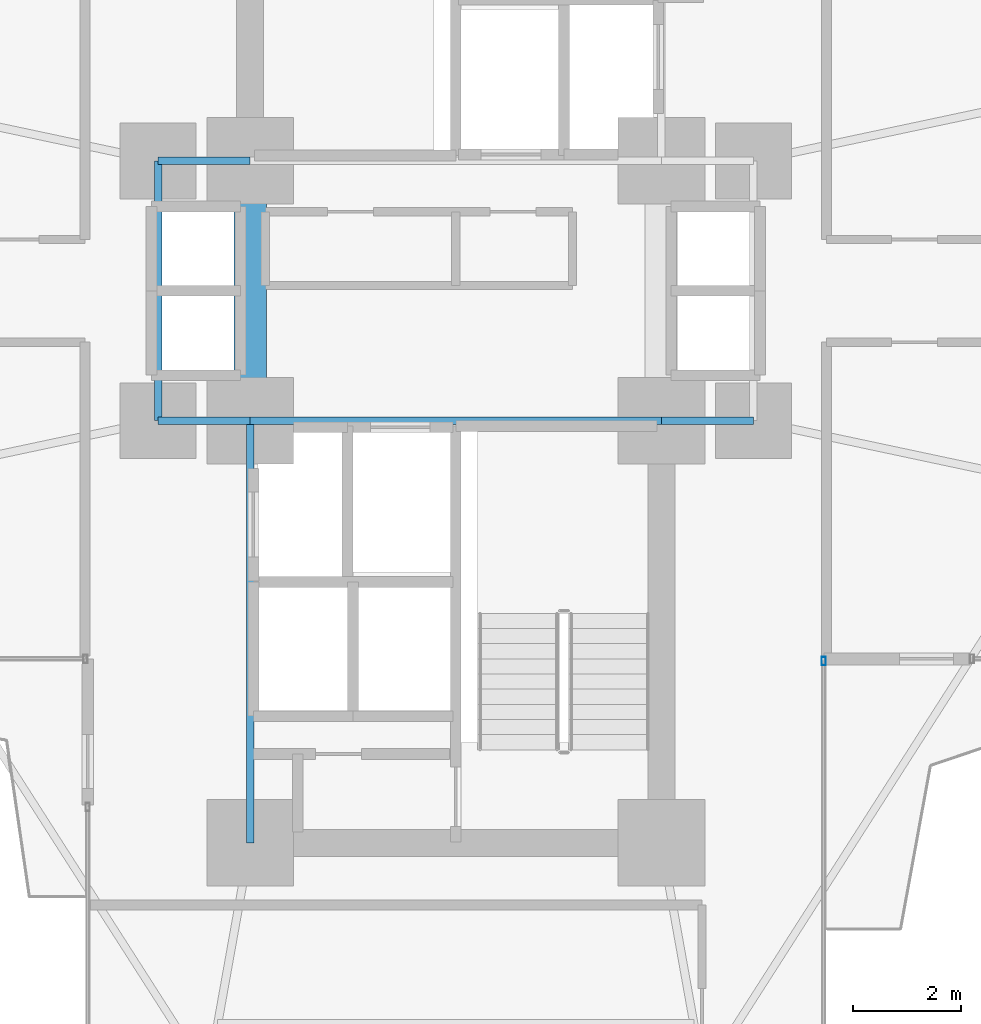
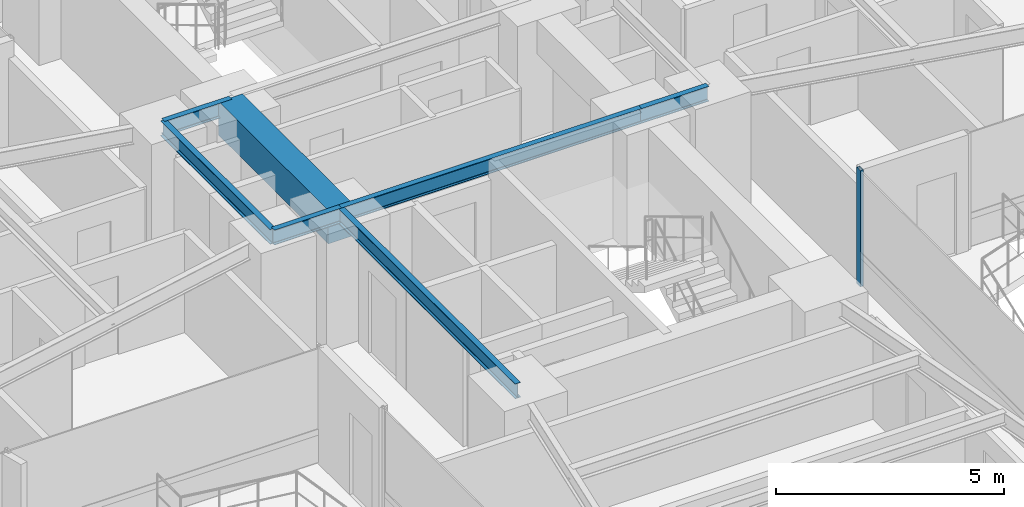
# One storey, part 11 of 25: 7 beams, 1 member, 1 element without a shape of its own.
"""IFC4 building model written with IfcOpenShell, lengths in metres."""

from ifc_helpers import new_model, si_unit, direction, frame, origin, origin_2d, place, context, subcontext, project, spatial, rectangle, hollow_rectangle, i_section, extrude, source, transform, mapped, material, material_profile, profile_set, type_object, element, aggregate, save


model = new_model("IFC4")

# Units and contexts
model_context = context("Model", 3, precision=1e-05, world=origin(), true_north=direction((0.0, 1.0)))
body_context = subcontext(model_context, "Body", "Model", "MODEL_VIEW")
ifc_project = project(units=[si_unit("LENGTHUNIT", "METRE"), si_unit("AREAUNIT", "SQUARE_METRE"), si_unit("VOLUMEUNIT", "CUBIC_METRE"), si_unit("PLANEANGLEUNIT", "RADIAN"), si_unit("MASSUNIT", "GRAM", prefix="KILO")], contexts=[model_context])

# Site, building, storey
site_placement = place(None, origin())
site = spatial("IfcSite", under=ifc_project, at=site_placement, CompositionType="ELEMENT")
building_placement = place(site_placement, origin())
building = spatial("IfcBuilding", under=site, at=building_placement, Name="Sahyath Konkavel Grand Hotel", CompositionType="ELEMENT")
storey_placement = place(building_placement, frame((0.0, 0.0, 54.39990234375)))
storey = spatial("IfcBuildingStorey", under=building, at=storey_placement, Name="L14", CompositionType="ELEMENT", Elevation=54.39990234375)

# Beams
ifc_material_1 = material(Name="Concrete C70/85", Category="concrete")
ifc_material_profile_1 = material_profile(ifc_material_1, rectangle(XDim=0.60009765625, YDim=0.89990234375, at=origin_2d()), Name="RC 600x900")
ifc_profile_set_1 = profile_set([ifc_material_profile_1], Name="Concrete C70/85")
beam_type_1 = type_object("IfcBeamType", Name="BM-CB600x900", PredefinedType="LINTEL", material=ifc_profile_set_1)
shared_shape_1 = source(origin(), body_context, "Body", "SweptSolid", [
    extrude(rectangle(XDim=0.60009765625, YDim=0.89990234375, at=origin_2d()), origin(), (0.0, 0.0, 1.0), 4.7998046875),
])
beam_1_placement = place(storey_placement, frame((-3.800048828125, -2.39990234375, 2.66015625), z_axis=(0.0, 1.0, 0.0), x_axis=(-1.0, 0.0, 0.0)))
element("IfcBeam", 1, at=beam_1_placement, inside=storey, type_object=beam_type_1, Name="L14 Split-Core Coupling Beam West", PredefinedType="LINTEL", context=body_context, shape_type="MappedRepresentation", body=[
    mapped(shared_shape_1, transform((0.0, 0.0, 0.0), scale=1.0)),
])
ifc_material_2 = material(Name="Steel E350", Category="steel")
ifc_material_profile_2 = material_profile(ifc_material_2, i_section(OverallWidth=0.139892578125, OverallDepth=0.39990234375, WebThickness=0.0087890625, FlangeThickness=0.01611328125, FilletRadius=0.013916015625, at=origin_2d()), Name="ISMB 400")
ifc_profile_set_2 = profile_set([ifc_material_profile_2], Name="Steel E350")
beam_type_2 = type_object("IfcBeamType", Name="BM-ISMB400", PredefinedType="BEAM", material=ifc_profile_set_2)
shared_shape_2 = source(origin(), body_context, "Body", "SweptSolid", [
    extrude(i_section(OverallWidth=0.139892578125, OverallDepth=0.39990234375, WebThickness=0.0087890625, FlangeThickness=0.01611328125, FilletRadius=0.013916015625, at=origin_2d()), origin(), (0.0, 0.0, 1.0), 7.60009765625),
])
beam_2_placement = place(storey_placement, frame((-3.800048828125, -2.39990234375, 2.91015625), z_axis=(1.0, 0.0, 0.0), x_axis=(0.0, 1.0, 0.0)))
element("IfcBeam", 2, at=beam_2_placement, inside=storey, type_object=beam_type_2, Name="str:bm:L14:SC-N", PredefinedType="BEAM", context=body_context, shape_type="MappedRepresentation", body=[
    mapped(shared_shape_2, transform((0.0, 0.0, 0.0), scale=1.0)),
])
shared_shape_3 = source(origin(), body_context, "Body", "SweptSolid", [
    extrude(i_section(OverallWidth=0.139892578125, OverallDepth=0.39990234375, WebThickness=0.0087890625, FlangeThickness=0.01611328125, FilletRadius=0.013916015625, at=origin_2d()), origin(), (0.0, 0.0, 1.0), 7.800048828125),
])
beam_3_placement = place(storey_placement, frame((-3.800048828125, -10.199951171875, 2.91015625), z_axis=(0.0, 1.0, 0.0), x_axis=(-1.0, 0.0, 0.0)))
element("IfcBeam", 3, at=beam_3_placement, inside=storey, type_object=beam_type_2, Name="str:bm:L14:SC-W", PredefinedType="BEAM", context=body_context, shape_type="MappedRepresentation", body=[
    mapped(shared_shape_3, transform((0.0, 0.0, 0.0), scale=1.0)),
])
shared_shape_4 = source(origin(), body_context, "Body", "SweptSolid", [
    extrude(i_section(OverallWidth=0.139892578125, OverallDepth=0.39990234375, WebThickness=0.0087890625, FlangeThickness=0.01611328125, FilletRadius=0.013916015625, at=origin_2d()), origin(), (0.0, 0.0, 1.0), 1.699951171875),
])
for number, where, z_axis, x_axis, name in (
    (4, (-5.5, 2.39990234375, 2.91015625), (1.0, 0.0, 0.0), (0.0, 1.0, 0.0), "str:bm:L14:HB-NW"),
    (5, (-5.5, -2.39990234375, 2.91015625), (1.0, 0.0, 0.0), (0.0, 1.0, 0.0), "str:bm:L14:HB-SW"),
    (6, (3.800048828125, -2.39990234375, 2.91015625), (1.0, 0.0, 0.0), (0.0, 1.0, 0.0), "str:bm:L14:HB-SE"),
):
    element("IfcBeam", number, at=place(storey_placement, frame(where, z_axis=z_axis, x_axis=x_axis)), inside=storey, type_object=beam_type_2, Name=name, PredefinedType="BEAM", context=body_context, shape_type="MappedRepresentation", body=[
        mapped(shared_shape_4, transform((0.0, 0.0, 0.0), scale=1.0)),
    ])
shared_shape_5 = source(origin(), body_context, "Body", "SweptSolid", [
    extrude(i_section(OverallWidth=0.139892578125, OverallDepth=0.39990234375, WebThickness=0.0087890625, FlangeThickness=0.01611328125, FilletRadius=0.013916015625, at=origin_2d()), origin(), (0.0, 0.0, 1.0), 4.7998046875),
])
beam_4_placement = place(storey_placement, frame((-5.5, -2.39990234375, 2.91015625), z_axis=(0.0, 1.0, 0.0), x_axis=(-1.0, 0.0, 0.0)))
element("IfcBeam", 7, at=beam_4_placement, inside=storey, type_object=beam_type_2, Name="str:bm:L14:HB-W", PredefinedType="BEAM", context=body_context, shape_type="MappedRepresentation", body=[
    mapped(shared_shape_5, transform((0.0, 0.0, 0.0), scale=1.0)),
])

# Curtain wall, member
ifc_material_3 = material(Name="Anodised Bronze Aluminium & Low-E Glazing", Category="aluminium")
curtain_wall_type = type_object("IfcCurtainWallType", Name="CW-ZONE1", PredefinedType="NOTDEFINED", material=ifc_material_3)
curtain_wall_placement = place(storey_placement, origin())
curtain_wall = element("IfcCurtainWall", 8, at=curtain_wall_placement, inside=storey, type_object=curtain_wall_type, Name="L14 Unitised Curtain Wall F31", PredefinedType="NOTDEFINED")
ifc_material_4 = material(Name="Anodised Bronze Aluminium", Category="aluminium")
ifc_material_profile_3 = material_profile(ifc_material_4, hollow_rectangle(XDim=0.080078125, YDim=0.159912109375, WallThickness=0.006103515625, at=origin_2d()), Name="RHS 160x80x6")
ifc_profile_set_3 = profile_set([ifc_material_profile_3], Name="Anodised Bronze Aluminium")
member_type = type_object("IfcMemberType", Name="CW-MUL-160", PredefinedType="MULLION", material=ifc_profile_set_3)
shared_shape_6 = source(origin(), body_context, "Body", "SweptSolid", [
    extrude(hollow_rectangle(XDim=0.080078125, YDim=0.159912109375, WallThickness=0.006103515625, at=origin_2d()), origin(), (0.0, 0.0, 1.0), 3.110107421875),
])
member_placement = place(storey_placement, frame((6.800048828125, -6.840087890625, 0.0), z_axis=(0.0, 0.0, 1.0), x_axis=(1.0, 0.0, 0.0)))
member = element("IfcMember", 9, at=member_placement, type_object=member_type, Name="L14 Curtain Wall Mullion F31-2", PredefinedType="MULLION", context=body_context, shape_type="MappedRepresentation", body=[
    mapped(shared_shape_6, transform((0.0, 0.0, 0.0), scale=1.0)),
])
aggregate(curtain_wall, [member])

save(model, "model.ifc")
